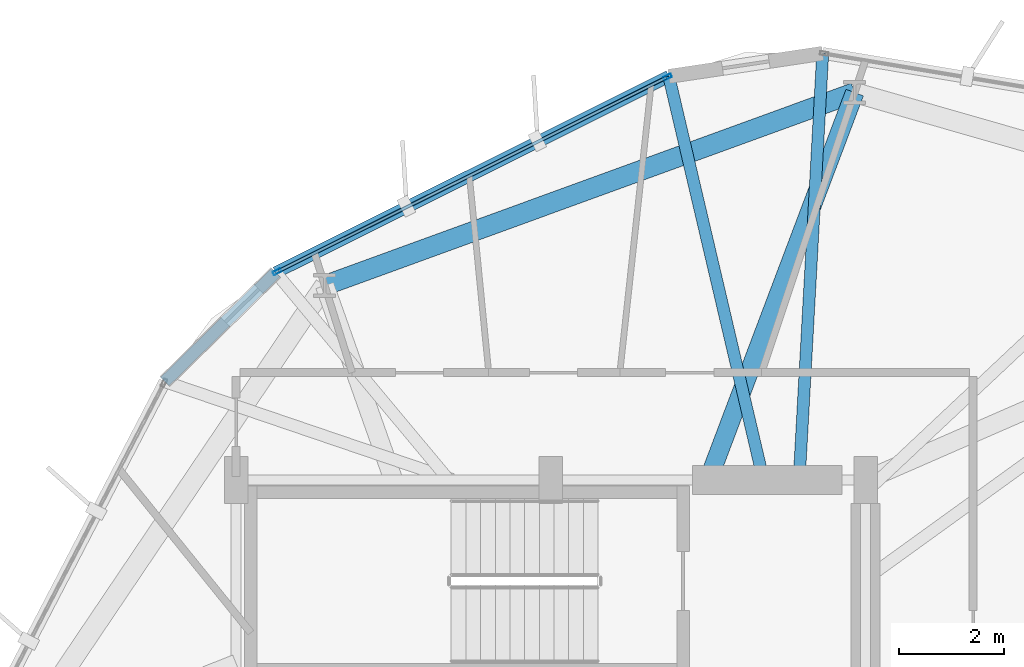
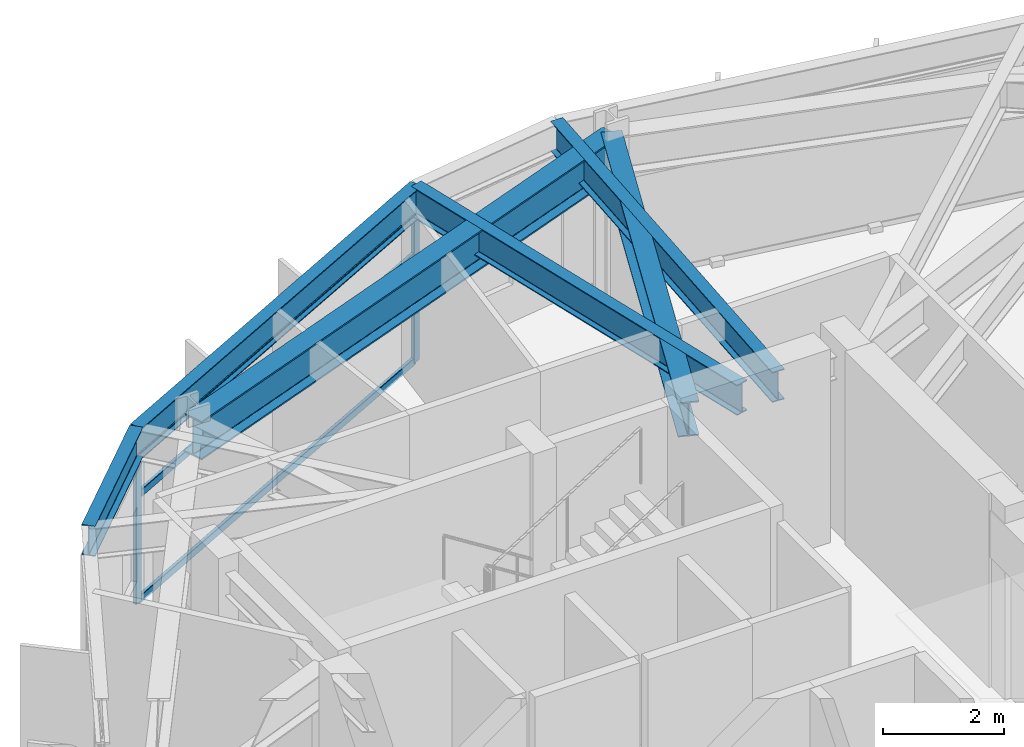
# One storey, part 12 of 22: 6 beams, 5 members, 1 element without a shape of its own.
"""IFC4 building model written with IfcOpenShell, lengths in metres."""

from ifc_helpers import new_model, si_unit, direction, frame, origin, origin_2d, place, context, subcontext, project, spatial, hollow_rectangle, i_section, extrude, material, layer, layer_set, material_profile, profile_set, type_object, element, aggregate, save


model = new_model("IFC4")

# Units and contexts
model_context = context("Model", 3, precision=1e-05, world=origin(), true_north=direction((0.0, 1.0)))
body_context = subcontext(model_context, "Body", "Model", "MODEL_VIEW")
ifc_project = project(units=[si_unit("LENGTHUNIT", "METRE"), si_unit("AREAUNIT", "SQUARE_METRE"), si_unit("VOLUMEUNIT", "CUBIC_METRE"), si_unit("PLANEANGLEUNIT", "RADIAN"), si_unit("MASSUNIT", "GRAM", prefix="KILO")], contexts=[model_context])

# Site, building, storey
site_placement = place(None, origin())
site = spatial("IfcSite", under=ifc_project, at=site_placement, CompositionType="ELEMENT")
building_placement = place(site_placement, origin())
building = spatial("IfcBuilding", under=site, at=building_placement, Name="Soratama Intermodal Tower", CompositionType="ELEMENT")
storey_placement = place(building_placement, frame((0.0, 0.0, 130.300048828125)))
storey = spatial("IfcBuildingStorey", under=building, at=storey_placement, Name="L31", CompositionType="ELEMENT", Elevation=130.300048828125)

# Beams
ifc_material_1 = material(Name="Structural steel ASTM A992 Grade 50", Category="steel")
ifc_material_profile_1 = material_profile(ifc_material_1, i_section(OverallWidth=0.35498046875, OverallDepth=0.695068359375, WebThickness=0.015380859375, FlangeThickness=0.02490234375, FilletRadius=0.01611328125, at=origin_2d()), Name="W27X146")
ifc_profile_set_1 = profile_set([ifc_material_profile_1], Name="Structural steel ASTM A992 Grade 50")
beam_type_1 = type_object("IfcBeamType", Name="BM-RING-W27X146", PredefinedType="BEAM", material=ifc_profile_set_1)
beam_1_placement = place(storey_placement, frame((41.60009765625, 35.0, 3.21240234375), z_axis=(0.353577871145, 0.935405093549, 0.0), x_axis=(-0.935405093549, 0.353577871145, 0.0)))
element("IfcBeam", 1, at=beam_1_placement, inside=storey, type_object=beam_type_1, Name="BM-L31-RAD-03", PredefinedType="BEAM", context=body_context, shape_type="SweptSolid", body=[
    extrude(i_section(OverallWidth=0.35498046875, OverallDepth=0.695068359375, WebThickness=0.015380859375, FlangeThickness=0.02490234375, FilletRadius=0.01611328125, at=origin_2d()), origin(), (0.0, 0.0, 1.0), 7.899169921875),
])
ifc_material_2 = material(Name="Structural steel ASTM A992 Grade 50", Category="steel")
ifc_material_profile_2 = material_profile(ifc_material_2, i_section(OverallWidth=0.382080078125, OverallDepth=0.779052734375, WebThickness=0.01806640625, FlangeThickness=0.030029296875, FilletRadius=0.01806640625, at=origin_2d()), Name="W30X191")
ifc_profile_set_2 = profile_set([ifc_material_profile_2], Name="Structural steel ASTM A992 Grade 50")
beam_type_2 = type_object("IfcBeamType", Name="BM-RING-W30X191", PredefinedType="BEAM", material=ifc_profile_set_2)
beam_2_placement = place(storey_placement, frame((44.39306640625, 42.388916015625, 3.17041015625), z_axis=(-0.939690636038, -0.342025596326, 0.0), x_axis=(0.342025596326, -0.939690636038, 0.0)))
element("IfcBeam", 2, at=beam_2_placement, inside=storey, type_object=beam_type_2, Name="BM-L31-RING-03", PredefinedType="BEAM", context=body_context, shape_type="SweptSolid", body=[
    extrude(i_section(OverallWidth=0.382080078125, OverallDepth=0.779052734375, WebThickness=0.01806640625, FlangeThickness=0.030029296875, FilletRadius=0.01806640625, at=origin_2d()), origin(), (0.0, 0.0, 1.0), 10.75341796875),
])
ifc_material_3 = material(Name="Structural steel ASTM A992 Grade 50", Category="steel")
ifc_material_profile_3 = material_profile(ifc_material_3, i_section(OverallWidth=0.22900390625, OverallDepth=0.612060546875, WebThickness=0.011962890625, FlangeThickness=0.01953125, FilletRadius=0.012939453125, at=origin_2d()), Name="W24X84")
ifc_profile_set_3 = profile_set([ifc_material_profile_3], Name="Structural steel ASTM A992 Grade 50")
beam_type_3 = type_object("IfcBeamType", Name="BM-SPN-W24X84", PredefinedType="SPANDREL", material=ifc_profile_set_3)
beam_3_placement = place(storey_placement, frame((40.84912109375, 42.697998046875, 3.25390625), z_axis=(-0.894788311795, -0.446490623726, 0.0), x_axis=(0.446490623726, -0.894788311795, 0.0)))
element("IfcBeam", 3, at=beam_3_placement, inside=storey, type_object=beam_type_3, Name="BS-L31-F03", PredefinedType="SPANDREL", context=body_context, shape_type="SweptSolid", body=[
    extrude(i_section(OverallWidth=0.22900390625, OverallDepth=0.612060546875, WebThickness=0.011962890625, FlangeThickness=0.01953125, FilletRadius=0.012939453125, at=origin_2d()), origin(), (0.0, 0.0, 1.0), 8.37646484375),
])
beam_4_placement = place(storey_placement, frame((33.35400390625, 38.9580078125, 3.25390625), z_axis=(-0.712966761185, -0.701197830462, 0.0), x_axis=(0.701197830462, -0.712966761185, 0.0)))
element("IfcBeam", 4, at=beam_4_placement, inside=storey, type_object=beam_type_3, Name="BS-L31-CRN03", PredefinedType="SPANDREL", context=body_context, shape_type="SweptSolid", body=[
    extrude(i_section(OverallWidth=0.22900390625, OverallDepth=0.612060546875, WebThickness=0.011962890625, FlangeThickness=0.01953125, FilletRadius=0.012939453125, at=origin_2d()), origin(), (0.0, 0.0, 1.0), 2.966552734375),
])
ifc_material_4 = material(Name="Structural steel ASTM A992 Grade 50", Category="steel")
ifc_material_profile_4 = material_profile(ifc_material_4, i_section(OverallWidth=0.22900390625, OverallDepth=0.612060546875, WebThickness=0.011962890625, FlangeThickness=0.01953125, FilletRadius=0.012939453125, at=origin_2d()), Name="W24X84")
ifc_profile_set_4 = profile_set([ifc_material_profile_4], Name="Structural steel ASTM A992 Grade 50")
beam_type_4 = type_object("IfcBeamType", Name="BM-TIE-W24X84", PredefinedType="BEAM", material=ifc_profile_set_4)
beam_5_placement = place(storey_placement, frame((43.3359375, 35.0400390625, 3.25390625), z_axis=(0.055118230206, 0.998479834899, 0.0), x_axis=(-0.998479834899, 0.055118230206, 0.0)))
element("IfcBeam", 5, at=beam_5_placement, inside=storey, type_object=beam_type_4, Name="BM-L31-TIE1-02", PredefinedType="BEAM", context=body_context, shape_type="SweptSolid", body=[
    extrude(i_section(OverallWidth=0.22900390625, OverallDepth=0.612060546875, WebThickness=0.011962890625, FlangeThickness=0.01953125, FilletRadius=0.012939453125, at=origin_2d()), origin(), (0.0, 0.0, 1.0), 8.110107421875),
])
beam_6_placement = place(storey_placement, frame((42.64501953125, 35.0390625, 3.25390625), z_axis=(-0.228291988951, 0.973592711446, 0.0), x_axis=(-0.973592711446, -0.228291988951, 0.0)))
element("IfcBeam", 6, at=beam_6_placement, inside=storey, type_object=beam_type_4, Name="BM-L31-TIE0-03", PredefinedType="BEAM", context=body_context, shape_type="SweptSolid", body=[
    extrude(i_section(OverallWidth=0.22900390625, OverallDepth=0.612060546875, WebThickness=0.011962890625, FlangeThickness=0.01953125, FilletRadius=0.012939453125, at=origin_2d()), origin(), (0.0, 0.0, 1.0), 7.86669921875),
])

# Curtain wall, members
ifc_material_5 = material(Name="Double-glazed aluminium curtain wall", Category="aluminium")
ifc_layer = layer(ifc_material_5, 0.159912109375)
ifc_layer_set = layer_set([ifc_layer], Name="Double-glazed aluminium curtain wall")
curtain_wall_type = type_object("IfcCurtainWallType", Name="CW-SYS-3", PredefinedType="NOTDEFINED", material=ifc_layer_set)
curtain_wall_placement = place(storey_placement, origin())
curtain_wall = element("IfcCurtainWall", 7, at=curtain_wall_placement, inside=storey, type_object=curtain_wall_type, Name="L31 Faceted Curtain Wall F03", PredefinedType="NOTDEFINED")
ifc_material_6 = material(Name="Anodised aluminium AA 6063-T6", Category="aluminium")
ifc_material_profile_5 = material_profile(ifc_material_6, hollow_rectangle(XDim=0.070068359375, YDim=0.159912109375, WallThickness=0.0048828125, InnerFilletRadius=0.0048828125, OuterFilletRadius=0.010009765625, at=origin_2d()), Name="CWM160X70X5")
ifc_profile_set_5 = profile_set([ifc_material_profile_5], Name="Anodised aluminium AA 6063-T6")
member_type_1 = type_object("IfcMemberType", Name="MT-CWM-3", PredefinedType="MULLION", material=ifc_profile_set_5)
member_1_placement = place(storey_placement, frame((40.822021484375, 42.68505859375, 0.0), z_axis=(0.0, 0.0, 1.0), x_axis=(0.446516244354, -0.894775526894, 0.0)))
member_1 = element("IfcMember", 8, at=member_1_placement, type_object=member_type_1, Name="CW-3 mullion 1", PredefinedType="MULLION", context=body_context, shape_type="SweptSolid", body=[
    extrude(hollow_rectangle(XDim=0.070068359375, YDim=0.159912109375, WallThickness=0.0048828125, InnerFilletRadius=0.0048828125, OuterFilletRadius=0.010009765625, at=origin_2d()), origin(), (0.0, 0.0, 1.0), 2.93896484375),
])
member_2_placement = place(storey_placement, frame((33.380859375, 38.9716796875, 0.0), z_axis=(0.0, 0.0, 1.0), x_axis=(0.446516244354, -0.894775526894, 0.0)))
member_2 = element("IfcMember", 9, at=member_2_placement, type_object=member_type_1, Name="CW-3 mullion 2", PredefinedType="MULLION", context=body_context, shape_type="SweptSolid", body=[
    extrude(hollow_rectangle(XDim=0.070068359375, YDim=0.159912109375, WallThickness=0.0048828125, InnerFilletRadius=0.0048828125, OuterFilletRadius=0.010009765625, at=origin_2d()), origin(), (0.0, 0.0, 1.0), 2.93896484375),
])
ifc_material_7 = material(Name="Anodised aluminium AA 6063-T6", Category="aluminium")
ifc_material_profile_6 = material_profile(ifc_material_7, hollow_rectangle(XDim=0.06494140625, YDim=0.14990234375, WallThickness=0.0048828125, InnerFilletRadius=0.0048828125, OuterFilletRadius=0.010009765625, at=origin_2d()), Name="CWT150X65X5")
ifc_profile_set_6 = profile_set([ifc_material_profile_6], Name="Anodised aluminium AA 6063-T6")
member_type_2 = type_object("IfcMemberType", Name="TT-CWT-1", PredefinedType="USERDEFINED", material=ifc_profile_set_6)
member_3_placement = place(storey_placement, frame((40.795166015625, 42.671630859375, 0.030029296875), z_axis=(-0.894775851465, -0.446515593943, 0.0), x_axis=(0.446515593943, -0.894775851465, 0.0)))
member_3 = element("IfcMember", 10, at=member_3_placement, type_object=member_type_2, Name="CW-3 transom 1.1", ObjectType="TRANSOM", PredefinedType="USERDEFINED", context=body_context, shape_type="SweptSolid", body=[
    extrude(hollow_rectangle(XDim=0.06494140625, YDim=0.14990234375, WallThickness=0.0048828125, InnerFilletRadius=0.0048828125, OuterFilletRadius=0.010009765625, at=origin_2d()), origin(), (0.0, 0.0, 1.0), 8.256103515625),
])
member_4_placement = place(storey_placement, frame((40.795166015625, 42.671630859375, 2.14990234375), z_axis=(-0.894775851465, -0.446515593943, 0.0), x_axis=(0.446515593943, -0.894775851465, 0.0)))
member_4 = element("IfcMember", 11, at=member_4_placement, type_object=member_type_2, Name="CW-3 transom 1.2", ObjectType="TRANSOM", PredefinedType="USERDEFINED", context=body_context, shape_type="SweptSolid", body=[
    extrude(hollow_rectangle(XDim=0.06494140625, YDim=0.14990234375, WallThickness=0.0048828125, InnerFilletRadius=0.0048828125, OuterFilletRadius=0.010009765625, at=origin_2d()), origin(), (0.0, 0.0, 1.0), 8.256103515625),
])
member_5_placement = place(storey_placement, frame((40.795166015625, 42.671630859375, 2.908935546875), z_axis=(-0.894775851465, -0.446515593943, 0.0), x_axis=(0.446515593943, -0.894775851465, 0.0)))
member_5 = element("IfcMember", 12, at=member_5_placement, type_object=member_type_2, Name="CW-3 transom 1.3", ObjectType="TRANSOM", PredefinedType="USERDEFINED", context=body_context, shape_type="SweptSolid", body=[
    extrude(hollow_rectangle(XDim=0.06494140625, YDim=0.14990234375, WallThickness=0.0048828125, InnerFilletRadius=0.0048828125, OuterFilletRadius=0.010009765625, at=origin_2d()), origin(), (0.0, 0.0, 1.0), 8.256103515625),
])
aggregate(curtain_wall, [member_1, member_2, member_3, member_4, member_5])

save(model, "model.ifc")
